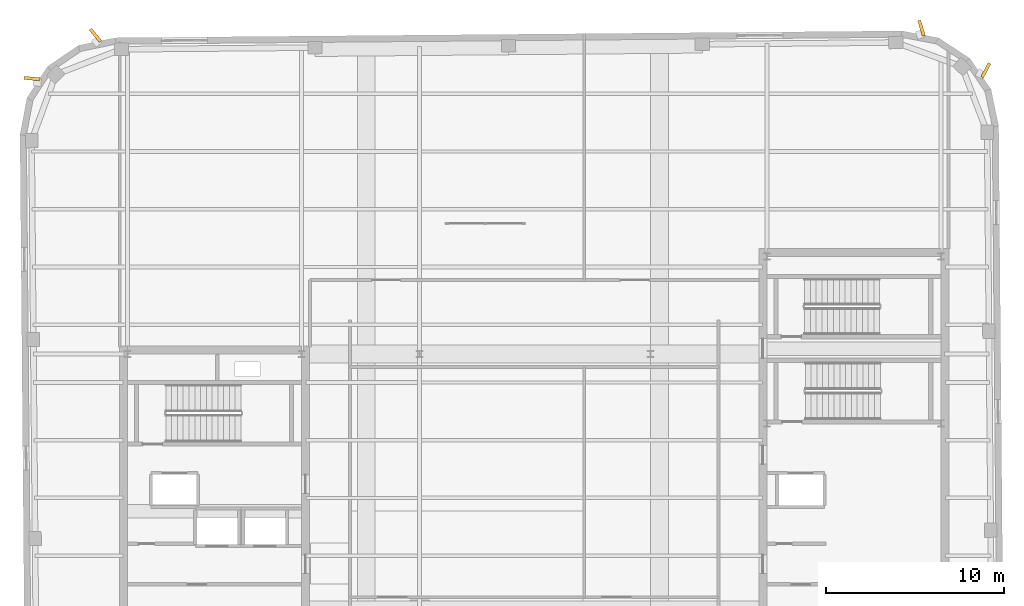
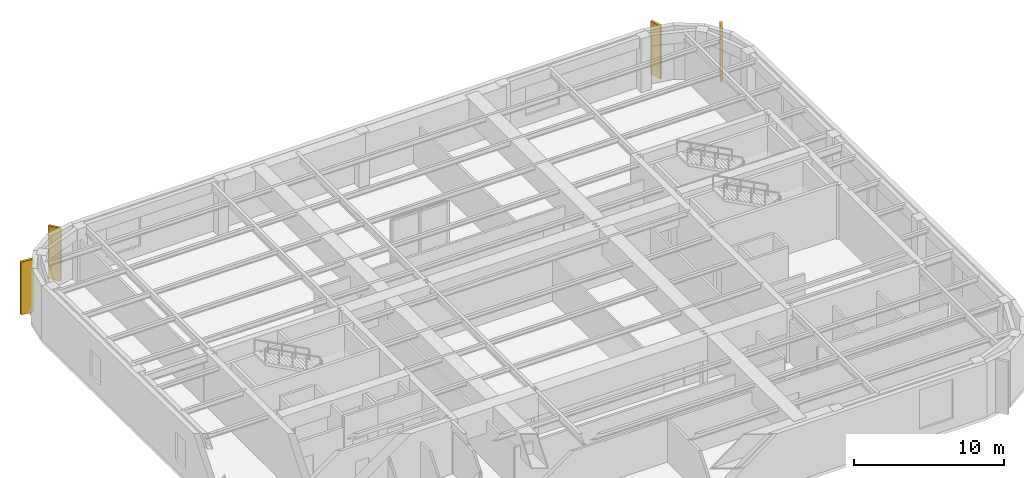
# One storey, part 14 of 14: 4 shading devices.
"""IFC4 building model written with IfcOpenShell, lengths in metres."""

import ifcopenshell
import ifcopenshell.guid

model = None  # the IFC model being written
_history = None  # IfcOwnerHistory: only IFC2X3 demands one
_inside = {}  # id of a spatial element -> (the spatial element, [elements in it])
_under = {}  # id of a project, library or spatial element -> (it, [spatial elements below it])
_declared = {}  # id of a project -> (the project, [libraries it declares])
_typed = {}  # id of a type object -> (the type object, [elements of that type])
_made_of = {}  # id of a material, layer set ... -> (it, [elements and type objects made of it])


def new_model(schema):
    """Start an empty IFC model of exactly this schema.

    Asked for "IFC4X3", IfcOpenShell would pick the latest addendum, in which some entities
    have other attributes; the version numbers below select the first issue.
    IFC2X3 requires an IfcOwnerHistory on every rooted entity: one is made here for all.
    """
    global model, _history
    if schema == "IFC4X3":
        model = ifcopenshell.file(schema_version=(4, 3, 0, 0))
    else:
        model = ifcopenshell.file(schema=schema)
    _inside.clear()
    _under.clear()
    _declared.clear()
    _typed.clear()
    _made_of.clear()
    _history = None
    if model.schema == "IFC2X3":
        org = make("IfcOrganization", Name="unknown")
        user = make(
            "IfcPersonAndOrganization",
            ThePerson=make("IfcPerson", FamilyName="unknown"),
            TheOrganization=org,
        )
        app = make(
            "IfcApplication",
            ApplicationDeveloper=org,
            Version="unknown",
            ApplicationFullName="unknown",
            ApplicationIdentifier="unknown",
        )
        _history = make(
            "IfcOwnerHistory",
            OwningUser=user,
            OwningApplication=app,
            ChangeAction="ADDED",
            CreationDate=0,
        )
    return model


def make(cls, **values):
    """One entity of the class cls with the attributes given. An attribute that is None is left unset."""
    return model.create_entity(
        cls, **{name: value for name, value in values.items() if value is not None}
    )


def rooted(cls, **values):
    """An entity with a GlobalId (a new one), such as an element, a storey or a relation."""
    return make(cls, GlobalId=ifcopenshell.guid.new(), OwnerHistory=_history, **values)


def si_unit(unit_type, name, prefix=None):
    """IfcSIUnit, for example si_unit("LENGTHUNIT", "METRE", prefix="MILLI")."""
    return make("IfcSIUnit", UnitType=unit_type, Prefix=prefix, Name=name)


def assignment(units):
    """IfcUnitAssignment: the units of a project."""
    return None if units is None else make("IfcUnitAssignment", Units=units)


def point(xyz):
    """IfcCartesianPoint."""
    return None if xyz is None else make("IfcCartesianPoint", Coordinates=xyz)


def direction(xyz):
    """IfcDirection."""
    return None if xyz is None else make("IfcDirection", DirectionRatios=xyz)


def frame(location, z_axis=None, x_axis=None):
    """IfcAxis2Placement3D, a coordinate frame: its origin and axes. An axis left out is left unset."""
    return make(
        "IfcAxis2Placement3D",
        Location=point(location),
        Axis=direction(z_axis),
        RefDirection=direction(x_axis),
    )


def frame_2d(location, x_axis=None):
    """IfcAxis2Placement2D, a coordinate frame in the plane: its origin and x axis."""
    return make(
        "IfcAxis2Placement2D", Location=point(location), RefDirection=direction(x_axis)
    )


def origin():
    """The frame at (0, 0, 0) with its axes left unset."""
    return frame((0.0, 0.0, 0.0))


def origin_2d():
    """The frame at (0, 0) in the plane with its x axis left unset."""
    return frame_2d((0.0, 0.0))


def place(relative_to, where):
    """IfcLocalPlacement: puts the frame where relative to a parent placement (None: the world)."""
    return make(
        "IfcLocalPlacement", PlacementRelTo=relative_to, RelativePlacement=where
    )


def context(
    kind, dimensions, precision=None, world=None, true_north=None, identifier=None
):
    """IfcGeometricRepresentationContext, for example the 3D "Model" context."""
    return make(
        "IfcGeometricRepresentationContext",
        ContextIdentifier=identifier,
        ContextType=kind,
        CoordinateSpaceDimension=dimensions,
        Precision=precision,
        WorldCoordinateSystem=world,
        TrueNorth=true_north,
    )


def subcontext(parent, identifier, kind, view, scale=None):
    """IfcGeometricRepresentationSubContext, for example "Body" below "Model"."""
    return make(
        "IfcGeometricRepresentationSubContext",
        ContextIdentifier=identifier,
        ContextType=kind,
        ParentContext=parent,
        TargetScale=scale,
        TargetView=view,
    )


def project(units=None, contexts=None):
    """IfcProject with its units and contexts."""
    return rooted(
        "IfcProject",
        Name="project",
        RepresentationContexts=contexts,
        UnitsInContext=assignment(units),
    )


def spatial(cls, under=None, at=None, **own):
    """A site, building, storey or space (cls), placed at a placement, below another one or the project."""
    s = rooted(cls, ObjectPlacement=at, **own)
    if under is not None:
        _under.setdefault(under.id(), (under, []))[1].append(s)
    return s


def profile(cls, at=None, kind="AREA", **sizes):
    """A parametric profile (cls). Its sizes go by their IFC names, for example OverallWidth=200.0."""
    return make(cls, ProfileType=kind, Position=at, **sizes)


def rectangle(**sizes):
    """IfcRectangleProfileDef."""
    return profile("IfcRectangleProfileDef", **sizes)


def extrude(swept, where, along, depth):
    """IfcExtrudedAreaSolid: the profile swept, set in the frame where, extruded along a direction by depth."""
    return make(
        "IfcExtrudedAreaSolid",
        SweptArea=swept,
        Position=where,
        ExtrudedDirection=direction(along),
        Depth=depth,
    )


def shape(context_of_items, identifier, shape_type, items):
    """IfcShapeRepresentation: the items that make up one representation, for example the "Body"."""
    return make(
        "IfcShapeRepresentation",
        ContextOfItems=context_of_items,
        RepresentationIdentifier=identifier,
        RepresentationType=shape_type,
        Items=items,
    )


def material(Name=None, Category=None):
    """IfcMaterial."""
    return make("IfcMaterial", Name=Name, Category=Category)


def made_of(thing, what):
    """Note that an element or type object is made of a material, layer set ...; save() writes the relation."""
    if what is not None:
        _made_of.setdefault(what.id(), (what, []))[1].append(thing)
    return thing


def type_object(cls, material=None, **own):
    """A type object (cls), such as IfcWallType, which elements share."""
    return made_of(rooted(cls, **own), material)


def element(
    cls,
    number,
    at=None,
    inside=None,
    cuts=None,
    type_object=None,
    material=None,
    context=None,
    identifier="Body",
    shape_type=None,
    held_by="IfcProductDefinitionShape",
    body=None,
    shapes=None,
    **own,
):
    """One element of the class cls, such as IfcWall. Its Tag is "e" and its number.

    at: its placement. inside: the storey or other place that contains it. cuts: it is an
    opening in that element (IfcRelVoidsElement). A single representation is given by context,
    identifier, shape_type and body (its items); several are given by shapes. held_by: the class
    of the entity that holds the representations. save() writes the other relations.
    """
    e = rooted(cls, Tag="e%d" % number, ObjectPlacement=at, **own)
    if body is not None:
        shapes = [shape(context, identifier, shape_type, body)]
    if shapes is not None:
        e.Representation = make(held_by, Representations=shapes)
    if inside is not None:
        _inside.setdefault(inside.id(), (inside, []))[1].append(e)
    if cuts is not None:
        rooted(
            "IfcRelVoidsElement", RelatingBuildingElement=cuts, RelatedOpeningElement=e
        )
    if type_object is not None:
        _typed.setdefault(type_object.id(), (type_object, []))[1].append(e)
    return made_of(e, material)


def aggregate(whole, parts):
    """IfcRelAggregates: a whole, such as a stair, and the parts it consists of."""
    return rooted("IfcRelAggregates", RelatingObject=whole, RelatedObjects=parts)


def save(model, path):
    """Write the relations noted so far, then the file.

    IfcRelAggregates (storeys below a building ...), IfcRelContainedInSpatialStructure (elements
    in a storey), IfcRelDefinesByType, IfcRelAssociatesMaterial and IfcRelDeclares: one each for
    every whole, place, type object, material and project.
    """
    for whole, parts in _under.values():
        aggregate(whole, parts)
    for where, things in _inside.values():
        rooted(
            "IfcRelContainedInSpatialStructure",
            RelatedElements=things,
            RelatingStructure=where,
        )
    for kind, things in _typed.values():
        rooted("IfcRelDefinesByType", RelatedObjects=things, RelatingType=kind)
    for what, things in _made_of.values():
        rooted("IfcRelAssociatesMaterial", RelatedObjects=things, RelatingMaterial=what)
    for by, libraries in _declared.values():
        rooted("IfcRelDeclares", RelatingContext=by, RelatedDefinitions=libraries)
    model.write(path)


model = new_model("IFC4")

# Units and contexts
model_context = context("Model", 3, precision=1e-05, world=origin(), true_north=direction((0.0, 1.0)))
body_context = subcontext(model_context, "Body", "Model", "MODEL_VIEW")
ifc_project = project(units=[si_unit("LENGTHUNIT", "METRE"), si_unit("AREAUNIT", "SQUARE_METRE"), si_unit("VOLUMEUNIT", "CUBIC_METRE"), si_unit("PLANEANGLEUNIT", "RADIAN"), si_unit("MASSUNIT", "GRAM", prefix="KILO")], contexts=[model_context])

# Site, building, storey
site_placement = place(None, origin())
site = spatial("IfcSite", under=ifc_project, at=site_placement, CompositionType="ELEMENT")
building_placement = place(site_placement, origin())
building = spatial("IfcBuilding", under=site, at=building_placement, Name="Kolvaren Arena Tower", CompositionType="ELEMENT")
storey_placement = place(building_placement, frame((0.0, 0.0, 317.199951171875)))
storey = spatial("IfcBuildingStorey", under=building, at=storey_placement, Name="L78", CompositionType="ELEMENT", Elevation=317.199951171875)

# Shading devices
ifc_material = material(Name="Precast architectural concrete C50/60 rib fin", Category="concrete")
shading_device_type = type_object("IfcShadingDeviceType", Name="SHAD-FIN-28", PredefinedType="USERDEFINED", material=ifc_material)
for number, where, z_axis, x_axis, name in (
    (1, (62.875, 49.825927734375, 0.02001953125), (0.0, 0.0, 1.0), (0.465619154103, 0.884985199499, 0.0), "Precast 28-Deg Corner Rib Fin (L78)"),
    (2, (59.25439453125, 52.19970703125, 0.02001953125), (0.0, 0.0, 1.0), (-0.296541574976, 0.955019944457, 0.0), "Precast 28-Deg Corner Rib Fin (L78)"),
    (3, (12.74951171875, 51.793701171875, 0.02001953125), (0.0, 0.0, 1.0), (-0.639409480102, 0.768866384202, 0.0), "Precast 28-Deg Corner Rib Fin (L78)"),
    (4, (9.1708984375, 49.357421875, 0.02001953125), (0.0, 0.0, 1.0), (-0.995807961336, 0.091468596471, 0.0), "Precast 28-Deg Corner Rib Fin (L78)"),
):
    element("IfcShadingDevice", number, at=place(storey_placement, frame(where, z_axis=z_axis, x_axis=x_axis)), inside=storey, type_object=shading_device_type, Name=name, ObjectType="FIN", PredefinedType="USERDEFINED", context=body_context, shape_type="SweptSolid", body=[
        extrude(rectangle(XDim=0.89990234375, YDim=0.179931640625, at=origin_2d()), origin(), (0.0, 0.0, 1.0), 4.300048828125),
    ])

save(model, "model.ifc")
